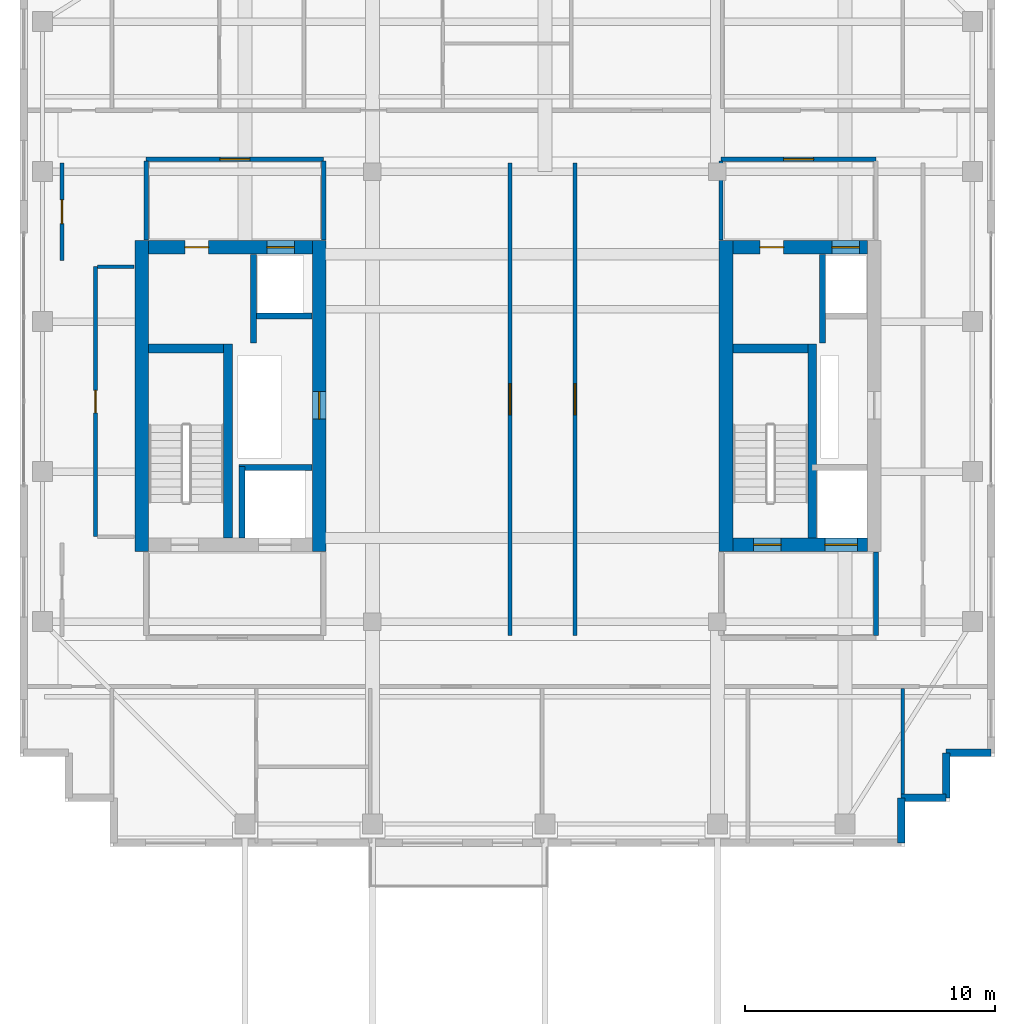
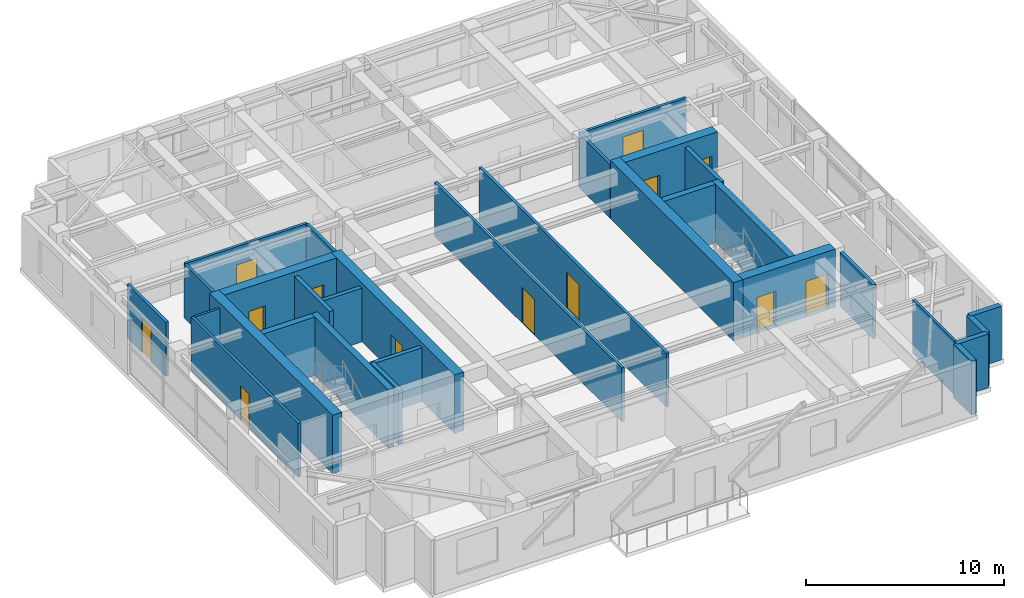
# One storey, part 9 of 14: 31 walls, 13 doors, 13 openings.
"""IFC4 building model written with IfcOpenShell, lengths in metres."""

import ifcopenshell
import ifcopenshell.guid

model = None  # the IFC model being written
_history = None  # IfcOwnerHistory: only IFC2X3 demands one
_inside = {}  # id of a spatial element -> (the spatial element, [elements in it])
_under = {}  # id of a project, library or spatial element -> (it, [spatial elements below it])
_declared = {}  # id of a project -> (the project, [libraries it declares])
_typed = {}  # id of a type object -> (the type object, [elements of that type])
_made_of = {}  # id of a material, layer set ... -> (it, [elements and type objects made of it])


def new_model(schema):
    """Start an empty IFC model of exactly this schema.

    Asked for "IFC4X3", IfcOpenShell would pick the latest addendum, in which some entities
    have other attributes; the version numbers below select the first issue.
    IFC2X3 requires an IfcOwnerHistory on every rooted entity: one is made here for all.
    """
    global model, _history
    if schema == "IFC4X3":
        model = ifcopenshell.file(schema_version=(4, 3, 0, 0))
    else:
        model = ifcopenshell.file(schema=schema)
    _inside.clear()
    _under.clear()
    _declared.clear()
    _typed.clear()
    _made_of.clear()
    _history = None
    if model.schema == "IFC2X3":
        org = make("IfcOrganization", Name="unknown")
        user = make(
            "IfcPersonAndOrganization",
            ThePerson=make("IfcPerson", FamilyName="unknown"),
            TheOrganization=org,
        )
        app = make(
            "IfcApplication",
            ApplicationDeveloper=org,
            Version="unknown",
            ApplicationFullName="unknown",
            ApplicationIdentifier="unknown",
        )
        _history = make(
            "IfcOwnerHistory",
            OwningUser=user,
            OwningApplication=app,
            ChangeAction="ADDED",
            CreationDate=0,
        )
    return model


def make(cls, **values):
    """One entity of the class cls with the attributes given. An attribute that is None is left unset."""
    return model.create_entity(
        cls, **{name: value for name, value in values.items() if value is not None}
    )


def rooted(cls, **values):
    """An entity with a GlobalId (a new one), such as an element, a storey or a relation."""
    return make(cls, GlobalId=ifcopenshell.guid.new(), OwnerHistory=_history, **values)


def si_unit(unit_type, name, prefix=None):
    """IfcSIUnit, for example si_unit("LENGTHUNIT", "METRE", prefix="MILLI")."""
    return make("IfcSIUnit", UnitType=unit_type, Prefix=prefix, Name=name)


def assignment(units):
    """IfcUnitAssignment: the units of a project."""
    return None if units is None else make("IfcUnitAssignment", Units=units)


def point(xyz):
    """IfcCartesianPoint."""
    return None if xyz is None else make("IfcCartesianPoint", Coordinates=xyz)


def direction(xyz):
    """IfcDirection."""
    return None if xyz is None else make("IfcDirection", DirectionRatios=xyz)


def frame(location, z_axis=None, x_axis=None):
    """IfcAxis2Placement3D, a coordinate frame: its origin and axes. An axis left out is left unset."""
    return make(
        "IfcAxis2Placement3D",
        Location=point(location),
        Axis=direction(z_axis),
        RefDirection=direction(x_axis),
    )


def frame_2d(location, x_axis=None):
    """IfcAxis2Placement2D, a coordinate frame in the plane: its origin and x axis."""
    return make(
        "IfcAxis2Placement2D", Location=point(location), RefDirection=direction(x_axis)
    )


def origin():
    """The frame at (0, 0, 0) with its axes left unset."""
    return frame((0.0, 0.0, 0.0))


def place(relative_to, where):
    """IfcLocalPlacement: puts the frame where relative to a parent placement (None: the world)."""
    return make(
        "IfcLocalPlacement", PlacementRelTo=relative_to, RelativePlacement=where
    )


def context(
    kind, dimensions, precision=None, world=None, true_north=None, identifier=None
):
    """IfcGeometricRepresentationContext, for example the 3D "Model" context."""
    return make(
        "IfcGeometricRepresentationContext",
        ContextIdentifier=identifier,
        ContextType=kind,
        CoordinateSpaceDimension=dimensions,
        Precision=precision,
        WorldCoordinateSystem=world,
        TrueNorth=true_north,
    )


def subcontext(parent, identifier, kind, view, scale=None):
    """IfcGeometricRepresentationSubContext, for example "Body" below "Model"."""
    return make(
        "IfcGeometricRepresentationSubContext",
        ContextIdentifier=identifier,
        ContextType=kind,
        ParentContext=parent,
        TargetScale=scale,
        TargetView=view,
    )


def project(units=None, contexts=None):
    """IfcProject with its units and contexts."""
    return rooted(
        "IfcProject",
        Name="project",
        RepresentationContexts=contexts,
        UnitsInContext=assignment(units),
    )


def spatial(cls, under=None, at=None, **own):
    """A site, building, storey or space (cls), placed at a placement, below another one or the project."""
    s = rooted(cls, ObjectPlacement=at, **own)
    if under is not None:
        _under.setdefault(under.id(), (under, []))[1].append(s)
    return s


def profile(cls, at=None, kind="AREA", **sizes):
    """A parametric profile (cls). Its sizes go by their IFC names, for example OverallWidth=200.0."""
    return make(cls, ProfileType=kind, Position=at, **sizes)


def rectangle(**sizes):
    """IfcRectangleProfileDef."""
    return profile("IfcRectangleProfileDef", **sizes)


def extrude(swept, where, along, depth):
    """IfcExtrudedAreaSolid: the profile swept, set in the frame where, extruded along a direction by depth."""
    return make(
        "IfcExtrudedAreaSolid",
        SweptArea=swept,
        Position=where,
        ExtrudedDirection=direction(along),
        Depth=depth,
    )


def shape(context_of_items, identifier, shape_type, items):
    """IfcShapeRepresentation: the items that make up one representation, for example the "Body"."""
    return make(
        "IfcShapeRepresentation",
        ContextOfItems=context_of_items,
        RepresentationIdentifier=identifier,
        RepresentationType=shape_type,
        Items=items,
    )


def source(mapping_origin, context_of_items, identifier, shape_type, items):
    """IfcRepresentationMap: a shape defined once, which mapped items show again and again."""
    return make(
        "IfcRepresentationMap",
        MappingOrigin=mapping_origin,
        MappedRepresentation=shape(context_of_items, identifier, shape_type, items),
    )


def transform(
    local_origin,
    x_axis=None,
    y_axis=None,
    z_axis=None,
    scale=None,
    scale2=None,
    scale3=None,
    uniform=True,
):
    """IfcCartesianTransformationOperator3D, or its non-uniform kind. x_axis, y_axis, z_axis: its Axis1, 2, 3."""
    if uniform:
        return make(
            "IfcCartesianTransformationOperator3D",
            Axis1=direction(x_axis),
            Axis2=direction(y_axis),
            LocalOrigin=point(local_origin),
            Scale=scale,
            Axis3=direction(z_axis),
        )
    return make(
        "IfcCartesianTransformationOperator3DnonUniform",
        Axis1=direction(x_axis),
        Axis2=direction(y_axis),
        LocalOrigin=point(local_origin),
        Scale=scale,
        Axis3=direction(z_axis),
        Scale2=scale2,
        Scale3=scale3,
    )


def mapped(mapping_source, mapping_target):
    """IfcMappedItem: shows the shape of a source again, moved by a transform."""
    return make(
        "IfcMappedItem", MappingSource=mapping_source, MappingTarget=mapping_target
    )


def material(Name=None, Category=None):
    """IfcMaterial."""
    return make("IfcMaterial", Name=Name, Category=Category)


def layer(
    of_material, thickness, ventilated=None, Name=None, Category=None, Priority=None
):
    """IfcMaterialLayer: one layer of a wall or slab, of a material (None: an air gap)."""
    return make(
        "IfcMaterialLayer",
        Material=of_material,
        LayerThickness=thickness,
        IsVentilated=ventilated,
        Name=Name,
        Category=Category,
        Priority=Priority,
    )


def layer_set(layers, Name=None):
    """IfcMaterialLayerSet."""
    return make("IfcMaterialLayerSet", MaterialLayers=layers, LayerSetName=Name)


def made_of(thing, what):
    """Note that an element or type object is made of a material, layer set ...; save() writes the relation."""
    if what is not None:
        _made_of.setdefault(what.id(), (what, []))[1].append(thing)
    return thing


def type_object(cls, material=None, **own):
    """A type object (cls), such as IfcWallType, which elements share."""
    return made_of(rooted(cls, **own), material)


def element(
    cls,
    number,
    at=None,
    inside=None,
    cuts=None,
    type_object=None,
    material=None,
    context=None,
    identifier="Body",
    shape_type=None,
    held_by="IfcProductDefinitionShape",
    body=None,
    shapes=None,
    **own,
):
    """One element of the class cls, such as IfcWall. Its Tag is "e" and its number.

    at: its placement. inside: the storey or other place that contains it. cuts: it is an
    opening in that element (IfcRelVoidsElement). A single representation is given by context,
    identifier, shape_type and body (its items); several are given by shapes. held_by: the class
    of the entity that holds the representations. save() writes the other relations.
    """
    e = rooted(cls, Tag="e%d" % number, ObjectPlacement=at, **own)
    if body is not None:
        shapes = [shape(context, identifier, shape_type, body)]
    if shapes is not None:
        e.Representation = make(held_by, Representations=shapes)
    if inside is not None:
        _inside.setdefault(inside.id(), (inside, []))[1].append(e)
    if cuts is not None:
        rooted(
            "IfcRelVoidsElement", RelatingBuildingElement=cuts, RelatedOpeningElement=e
        )
    if type_object is not None:
        _typed.setdefault(type_object.id(), (type_object, []))[1].append(e)
    return made_of(e, material)


def fill(opening, filler):
    """IfcRelFillsElement: the door or window that sits in an opening."""
    return rooted(
        "IfcRelFillsElement",
        RelatingOpeningElement=opening,
        RelatedBuildingElement=filler,
    )


def aggregate(whole, parts):
    """IfcRelAggregates: a whole, such as a stair, and the parts it consists of."""
    return rooted("IfcRelAggregates", RelatingObject=whole, RelatedObjects=parts)


def save(model, path):
    """Write the relations noted so far, then the file.

    IfcRelAggregates (storeys below a building ...), IfcRelContainedInSpatialStructure (elements
    in a storey), IfcRelDefinesByType, IfcRelAssociatesMaterial and IfcRelDeclares: one each for
    every whole, place, type object, material and project.
    """
    for whole, parts in _under.values():
        aggregate(whole, parts)
    for where, things in _inside.values():
        rooted(
            "IfcRelContainedInSpatialStructure",
            RelatedElements=things,
            RelatingStructure=where,
        )
    for kind, things in _typed.values():
        rooted("IfcRelDefinesByType", RelatedObjects=things, RelatingType=kind)
    for what, things in _made_of.values():
        rooted("IfcRelAssociatesMaterial", RelatedObjects=things, RelatingMaterial=what)
    for by, libraries in _declared.values():
        rooted("IfcRelDeclares", RelatingContext=by, RelatedDefinitions=libraries)
    model.write(path)


model = new_model("IFC4")

# Units and contexts
model_context = context("Model", 3, precision=1e-05, world=origin(), true_north=direction((0.0, 1.0)))
body_context = subcontext(model_context, "Body", "Model", "MODEL_VIEW")
ifc_project = project(units=[si_unit("LENGTHUNIT", "METRE"), si_unit("AREAUNIT", "SQUARE_METRE"), si_unit("VOLUMEUNIT", "CUBIC_METRE"), si_unit("PLANEANGLEUNIT", "RADIAN"), si_unit("MASSUNIT", "GRAM", prefix="KILO")], contexts=[model_context])

# Site, building, storey
site_placement = place(None, origin())
site = spatial("IfcSite", under=ifc_project, at=site_placement, CompositionType="ELEMENT")
building_placement = place(site_placement, origin())
building = spatial("IfcBuilding", under=site, at=building_placement, Name="Khoralis Quay Care Tower", CompositionType="ELEMENT")
storey_placement = place(building_placement, frame((0.0, 0.0, 274.5)))
storey = spatial("IfcBuildingStorey", under=building, at=storey_placement, Name="L72", CompositionType="ELEMENT", Elevation=274.5)

# Walls
ifc_material_1 = material(Name="Gypsum plasterboard on acoustic metal stud")
ifc_layer_1 = layer(ifc_material_1, 0.199951171875)
ifc_layer_set_1 = layer_set([ifc_layer_1], Name="Gypsum plasterboard on acoustic metal stud")
wall_type_1 = type_object("IfcWallType", Name="WL-COMP-200", PredefinedType="PARTITIONING", material=ifc_layer_set_1)
wall_1_placement = place(storey_placement, frame((37.25, 11.445068359375, 0.0), z_axis=(0.0, 0.0, 1.0), x_axis=(0.0, 1.0, 0.0)))
element("IfcWall", 1, at=wall_1_placement, inside=storey, type_object=wall_type_1, Name="L72 East Firefighting Lobby East Wall", PredefinedType="PARTITIONING", context=body_context, shape_type="SweptSolid", body=[
    extrude(rectangle(XDim=3.3349609375, YDim=0.199951171875, at=frame_2d((1.66748046875, 0.0))), origin(), (0.0, 0.0, 1.0), 3.320068359375),
])
ifc_material_2 = material(Name="Concrete C65/80", Category="concrete")
ifc_layer_2 = layer(ifc_material_2, 0.550048828125)
ifc_layer_set_2 = layer_set([ifc_layer_2], Name="Concrete C65/80")
wall_type_2 = type_object("IfcWallType", Name="WL-CORE-550", PredefinedType="SHEAR", material=ifc_layer_set_2)
wall_2_placement = place(storey_placement, frame((7.875, 14.800048828125, 0.0), z_axis=(0.0, 0.0, 1.0), x_axis=(0.0, 1.0, 0.0)))
element("IfcWall", 2, at=wall_2_placement, inside=storey, type_object=wall_type_2, Name="L72 WCORE West Shear Wall", PredefinedType="SHEAR", context=body_context, shape_type="SweptSolid", body=[
    extrude(rectangle(XDim=12.449951171875, YDim=0.550048828125, at=frame_2d((6.22509765625, 0.0))), origin(), (0.0, 0.0, 1.0), 3.60009765625),
])

# Wall, opening, door
wall_3_placement = place(storey_placement, frame((14.97509765625, 14.800048828125, 0.0), z_axis=(0.0, 0.0, 1.0), x_axis=(0.0, 1.0, 0.0)))
wall_3 = element("IfcWall", 3, at=wall_3_placement, inside=storey, type_object=wall_type_2, Name="L72 WCORE East Shear Wall", PredefinedType="SHEAR", context=body_context, shape_type="SweptSolid", body=[
    extrude(rectangle(XDim=12.449951171875, YDim=0.550048828125, at=frame_2d((6.22509765625, 0.0))), origin(), (0.0, 0.0, 1.0), 3.60009765625),
])
opening_1_placement = place(wall_3_placement, frame((5.300048828125, 0.0, 0.0)))
opening_1 = element("IfcOpeningElement", 4, at=opening_1_placement, cuts=wall_3, Name="Opening SD1", PredefinedType="OPENING", context=body_context, shape_type="SweptSolid", body=[
    extrude(rectangle(XDim=1.10009765625, YDim=2.199951171875, at=frame_2d((0.550048828125, 1.10009765625))), frame((0.0, 0.28515625, 0.0), z_axis=(0.0, -1.0, 0.0), x_axis=(1.0, 0.0, 0.0)), (0.0, 0.0, 1.0), 0.570068359375),
])
ifc_material_3 = material(Name="Fire-rated painted steel", Category="steel")
door_type_1 = type_object("IfcDoorType", Name="DR-STAIR-1100X2200", OperationType="NOTDEFINED", PredefinedType="DOOR", material=ifc_material_3)
shared_shape_1 = source(origin(), body_context, "Body", "SweptSolid", [
    extrude(rectangle(XDim=1.10009765625, YDim=2.199951171875, at=frame_2d((0.550048828125, 1.10009765625))), frame((0.0, 0.02490234375, 0.0), z_axis=(0.0, -1.0, 0.0), x_axis=(1.0, 0.0, 0.0)), (0.0, 0.0, 1.0), 0.050048828125),
])
door_1_placement = place(opening_1_placement, origin())
door_1 = element("IfcDoor", 5, at=door_1_placement, inside=storey, type_object=door_type_1, Name="L72 West MEP Riser Door", OperationType="SINGLE_SWING_RIGHT", OverallHeight=2.199951171875, OverallWidth=1.10009765625, PredefinedType="DOOR", context=body_context, shape_type="MappedRepresentation", body=[
    mapped(shared_shape_1, transform((0.0, 0.0, 0.0), scale=1.0)),
])
fill(opening_1, door_1)

# Wall, openings, doors
wall_4_placement = place(storey_placement, frame((8.14990234375, 26.97509765625, 0.0), z_axis=(0.0, 0.0, 1.0), x_axis=(1.0, 0.0, 0.0)))
wall_4 = element("IfcWall", 6, at=wall_4_placement, inside=storey, type_object=wall_type_2, Name="L72 WCORE North Shear Wall", PredefinedType="SHEAR", context=body_context, shape_type="SweptSolid", body=[
    extrude(rectangle(XDim=6.550048828125, YDim=0.550048828125, at=frame_2d((3.27490234375, 0.0))), origin(), (0.0, 0.0, 1.0), 3.60009765625),
])
opening_2_placement = place(wall_4_placement, frame((1.449951171875, 0.0, 0.0)))
opening_2 = element("IfcOpeningElement", 7, at=opening_2_placement, cuts=wall_4, Name="Opening ID1", PredefinedType="OPENING", context=body_context, shape_type="SweptSolid", body=[
    extrude(rectangle(XDim=0.949951171875, YDim=2.10009765625, at=frame_2d((0.47509765625, 1.050048828125))), frame((0.0, 0.28515625, 0.0), z_axis=(0.0, -1.0, 0.0), x_axis=(1.0, 0.0, 0.0)), (0.0, 0.0, 1.0), 0.570068359375),
])
opening_3_placement = place(wall_4_placement, frame((4.72998046875, 0.0, 0.0)))
opening_3 = element("IfcOpeningElement", 8, at=opening_3_placement, cuts=wall_4, Name="Opening LD1", PredefinedType="OPENING", context=body_context, shape_type="SweptSolid", body=[
    extrude(rectangle(XDim=1.10009765625, YDim=2.199951171875, at=frame_2d((0.550048828125, 1.10009765625))), frame((0.0, 0.28515625, 0.0), z_axis=(0.0, -1.0, 0.0), x_axis=(1.0, 0.0, 0.0)), (0.0, 0.0, 1.0), 0.570068359375),
])
ifc_material_4 = material(Name="Brushed stainless steel", Category="steel")
door_type_2 = type_object("IfcDoorType", Name="DR-LIFT-1100X2200", OperationType="SLIDING_TO_LEFT", PredefinedType="DOOR", material=ifc_material_4)
shared_shape_2 = source(origin(), body_context, "Body", "SweptSolid", [
    extrude(rectangle(XDim=1.10009765625, YDim=2.199951171875, at=frame_2d((0.550048828125, 1.10009765625))), frame((0.0, 0.02490234375, 0.0), z_axis=(0.0, -1.0, 0.0), x_axis=(1.0, 0.0, 0.0)), (0.0, 0.0, 1.0), 0.050048828125),
])
door_2_placement = place(opening_3_placement, origin())
door_2 = element("IfcDoor", 9, at=door_2_placement, inside=storey, type_object=door_type_2, Name="L72 Lift PLH1 Landing Door", OperationType="SLIDING_TO_LEFT", OverallHeight=2.199951171875, OverallWidth=1.10009765625, PredefinedType="DOOR", context=body_context, shape_type="MappedRepresentation", body=[
    mapped(shared_shape_2, transform((0.0, 0.0, 0.0), scale=1.0)),
])
fill(opening_3, door_2)
ifc_material_5 = material(Name="Acoustic hardwood timber", Category="wood")
door_type_3 = type_object("IfcDoorType", Name="DR-ROOM-950X2100", OperationType="NOTDEFINED", PredefinedType="DOOR", material=ifc_material_5)
shared_shape_3 = source(origin(), body_context, "Body", "SweptSolid", [
    extrude(rectangle(XDim=0.949951171875, YDim=2.10009765625, at=frame_2d((0.47509765625, 1.050048828125))), frame((0.0, 0.02490234375, 0.0), z_axis=(0.0, -1.0, 0.0), x_axis=(1.0, 0.0, 0.0)), (0.0, 0.0, 1.0), 0.050048828125),
])
door_3_placement = place(opening_2_placement, frame((0.949951171875, 0.0, 0.0), z_axis=(0.0, 0.0, 1.0), x_axis=(-1.0, 0.0, 0.0)))
door_3 = element("IfcDoor", 10, at=door_3_placement, inside=storey, type_object=door_type_3, Name="L72 Telemetry Room Door", OperationType="SINGLE_SWING_RIGHT", OverallHeight=2.10009765625, OverallWidth=0.949951171875, PredefinedType="DOOR", context=body_context, shape_type="MappedRepresentation", body=[
    mapped(shared_shape_3, transform((0.0, 0.0, 0.0), scale=1.0)),
])
fill(opening_2, door_3)

# Wall
wall_5_placement = place(storey_placement, frame((31.2451171875, 14.800048828125, 0.0), z_axis=(0.0, 0.0, 1.0), x_axis=(0.0, 1.0, 0.0)))
element("IfcWall", 11, at=wall_5_placement, inside=storey, type_object=wall_type_2, Name="L72 ECORE West Shear Wall", PredefinedType="SHEAR", context=body_context, shape_type="SweptSolid", body=[
    extrude(rectangle(XDim=12.449951171875, YDim=0.550048828125, at=frame_2d((6.22509765625, 0.0))), origin(), (0.0, 0.0, 1.0), 3.60009765625),
])

# Wall, openings, doors
wall_6_placement = place(storey_placement, frame((31.52001953125, 15.074951171875, 0.0), z_axis=(0.0, 0.0, 1.0), x_axis=(1.0, 0.0, 0.0)))
wall_6 = element("IfcWall", 12, at=wall_6_placement, inside=storey, type_object=wall_type_2, Name="L72 ECORE South Shear Wall", PredefinedType="SHEAR", context=body_context, shape_type="SweptSolid", body=[
    extrude(rectangle(XDim=5.3798828125, YDim=0.550048828125, at=frame_2d((2.68994140625, 0.0))), origin(), (0.0, 0.0, 1.0), 3.60009765625),
])
opening_4_placement = place(wall_6_placement, frame((0.830078125, 0.0, 0.0)))
opening_4 = element("IfcOpeningElement", 13, at=opening_4_placement, cuts=wall_6, Name="Opening SD1", PredefinedType="OPENING", context=body_context, shape_type="SweptSolid", body=[
    extrude(rectangle(XDim=1.10009765625, YDim=2.199951171875, at=frame_2d((0.550048828125, 1.10009765625))), frame((0.0, 0.28515625, 0.0), z_axis=(0.0, -1.0, 0.0), x_axis=(1.0, 0.0, 0.0)), (0.0, 0.0, 1.0), 0.570068359375),
])
opening_5_placement = place(wall_6_placement, frame((3.679931640625, 0.0, 0.0)))
opening_5 = element("IfcOpeningElement", 14, at=opening_5_placement, cuts=wall_6, Name="Opening LD2", PredefinedType="OPENING", context=body_context, shape_type="SweptSolid", body=[
    extrude(rectangle(XDim=1.300048828125, YDim=2.199951171875, at=frame_2d((0.64990234375, 1.10009765625))), frame((0.0, 0.28515625, 0.0), z_axis=(0.0, -1.0, 0.0), x_axis=(1.0, 0.0, 0.0)), (0.0, 0.0, 1.0), 0.570068359375),
])
door_4_placement = place(opening_4_placement, origin())
door_4 = element("IfcDoor", 15, at=door_4_placement, inside=storey, type_object=door_type_1, Name="L72 Stair ST-T2 Fire Door", OperationType="SINGLE_SWING_LEFT", OverallHeight=2.199951171875, OverallWidth=1.10009765625, PredefinedType="DOOR", context=body_context, shape_type="MappedRepresentation", body=[
    mapped(shared_shape_1, transform((0.0, 0.0, 0.0), scale=1.0)),
])
fill(opening_4, door_4)
door_type_4 = type_object("IfcDoorType", Name="DR-LIFT-1300X2200", OperationType="SLIDING_TO_RIGHT", PredefinedType="DOOR", material=ifc_material_4)
shared_shape_4 = source(origin(), body_context, "Body", "SweptSolid", [
    extrude(rectangle(XDim=1.300048828125, YDim=2.199951171875, at=frame_2d((0.64990234375, 1.10009765625))), frame((0.0, 0.02490234375, 0.0), z_axis=(0.0, -1.0, 0.0), x_axis=(1.0, 0.0, 0.0)), (0.0, 0.0, 1.0), 0.050048828125),
])
door_5_placement = place(opening_5_placement, origin())
door_5 = element("IfcDoor", 16, at=door_5_placement, inside=storey, type_object=door_type_4, Name="L72 Firefighting Lift FFL-2 Landing Door", OperationType="SLIDING_TO_RIGHT", OverallHeight=2.199951171875, OverallWidth=1.300048828125, PredefinedType="DOOR", context=body_context, shape_type="MappedRepresentation", body=[
    mapped(shared_shape_4, transform((0.0, 0.0, 0.0), scale=1.0)),
])
fill(opening_5, door_5)

wall_7_placement = place(storey_placement, frame((31.52001953125, 26.97509765625, 0.0), z_axis=(0.0, 0.0, 1.0), x_axis=(1.0, 0.0, 0.0)))
wall_7 = element("IfcWall", 17, at=wall_7_placement, inside=storey, type_object=wall_type_2, Name="L72 ECORE North Shear Wall", PredefinedType="SHEAR", context=body_context, shape_type="SweptSolid", body=[
    extrude(rectangle(XDim=5.3798828125, YDim=0.550048828125, at=frame_2d((2.68994140625, 0.0))), origin(), (0.0, 0.0, 1.0), 3.60009765625),
])
opening_6_placement = place(wall_7_placement, frame((1.080078125, 0.0, 0.0)))
opening_6 = element("IfcOpeningElement", 18, at=opening_6_placement, cuts=wall_7, Name="Opening ID1", PredefinedType="OPENING", context=body_context, shape_type="SweptSolid", body=[
    extrude(rectangle(XDim=0.949951171875, YDim=2.10009765625, at=frame_2d((0.47509765625, 1.050048828125))), frame((0.0, 0.28515625, 0.0), z_axis=(0.0, -1.0, 0.0), x_axis=(1.0, 0.0, 0.0)), (0.0, 0.0, 1.0), 0.570068359375),
])
opening_7_placement = place(wall_7_placement, frame((3.9599609375, 0.0, 0.0)))
opening_7 = element("IfcOpeningElement", 19, at=opening_7_placement, cuts=wall_7, Name="Opening LD1", PredefinedType="OPENING", context=body_context, shape_type="SweptSolid", body=[
    extrude(rectangle(XDim=1.10009765625, YDim=2.199951171875, at=frame_2d((0.550048828125, 1.10009765625))), frame((0.0, 0.28515625, 0.0), z_axis=(0.0, -1.0, 0.0), x_axis=(1.0, 0.0, 0.0)), (0.0, 0.0, 1.0), 0.570068359375),
])
door_6_placement = place(opening_7_placement, origin())
door_6 = element("IfcDoor", 20, at=door_6_placement, inside=storey, type_object=door_type_2, Name="L72 Lift PLH2 Landing Door", OperationType="SLIDING_TO_LEFT", OverallHeight=2.199951171875, OverallWidth=1.10009765625, PredefinedType="DOOR", context=body_context, shape_type="MappedRepresentation", body=[
    mapped(shared_shape_2, transform((0.0, 0.0, 0.0), scale=1.0)),
])
fill(opening_7, door_6)
door_7_placement = place(opening_6_placement, frame((0.949951171875, 0.0, 0.0), z_axis=(0.0, 0.0, 1.0), x_axis=(-1.0, 0.0, 0.0)))
door_7 = element("IfcDoor", 21, at=door_7_placement, inside=storey, type_object=door_type_3, Name="L72 Rehab Studio Door", OperationType="SINGLE_SWING_LEFT", OverallHeight=2.10009765625, OverallWidth=0.949951171875, PredefinedType="DOOR", context=body_context, shape_type="MappedRepresentation", body=[
    mapped(shared_shape_3, transform((0.0, 0.0, 0.0), scale=1.0)),
])
fill(opening_6, door_7)

# Wall, opening, door
ifc_layer_3 = layer(ifc_material_1, 0.1650390625)
ifc_layer_set_3 = layer_set([ifc_layer_3], Name="Gypsum plasterboard on acoustic metal stud")
wall_type_3 = type_object("IfcWallType", Name="WL-CORR-165", PredefinedType="PARTITIONING", material=ifc_layer_set_3)
wall_8_placement = place(storey_placement, frame((8.050048828125, 30.5, 0.0), z_axis=(0.0, 0.0, 1.0), x_axis=(1.0, 0.0, 0.0)))
wall_8 = element("IfcWall", 22, at=wall_8_placement, inside=storey, type_object=wall_type_3, Name="L72 West Lift Lobby North Wall", PredefinedType="PARTITIONING", context=body_context, shape_type="SweptSolid", body=[
    extrude(rectangle(XDim=7.099853515625, YDim=0.1650390625, at=frame_2d((3.5498046875, 0.0))), origin(), (0.0, 0.0, 1.0), 3.320068359375),
])
opening_8_placement = place(wall_8_placement, frame((2.949951171875, 0.0, 0.0)))
opening_8 = element("IfcOpeningElement", 23, at=opening_8_placement, cuts=wall_8, Name="Opening FD1", PredefinedType="OPENING", context=body_context, shape_type="SweptSolid", body=[
    extrude(rectangle(XDim=1.199951171875, YDim=2.199951171875, at=frame_2d((0.60009765625, 1.10009765625))), frame((0.0, 0.092529296875, 0.0), z_axis=(0.0, -1.0, 0.0), x_axis=(1.0, 0.0, 0.0)), (0.0, 0.0, 1.0), 0.18505859375),
])
door_type_5 = type_object("IfcDoorType", Name="DR-FFL-1200X2200", OperationType="NOTDEFINED", PredefinedType="DOOR", material=ifc_material_3)
shared_shape_5 = source(origin(), body_context, "Body", "SweptSolid", [
    extrude(rectangle(XDim=1.199951171875, YDim=2.199951171875, at=frame_2d((0.60009765625, 1.10009765625))), frame((0.0, 0.02490234375, 0.0), z_axis=(0.0, -1.0, 0.0), x_axis=(1.0, 0.0, 0.0)), (0.0, 0.0, 1.0), 0.050048828125),
])
door_8_placement = place(opening_8_placement, origin())
door_8 = element("IfcDoor", 24, at=door_8_placement, inside=storey, type_object=door_type_5, Name="L72 West Lift Lobby Double Door", OperationType="DOUBLE_DOOR_SINGLE_SWING", OverallHeight=2.199951171875, OverallWidth=1.199951171875, PredefinedType="DOOR", context=body_context, shape_type="MappedRepresentation", body=[
    mapped(shared_shape_5, transform((0.0, 0.0, 0.0), scale=1.0)),
])
fill(opening_8, door_8)

# Walls
for number, where, z_axis, x_axis, name in (
    (25, (8.050048828125, 27.27001953125, 0.0), (0.0, 0.0, 1.0), (0.0, 1.0, 0.0), "L72 West Lift Lobby West Wall"),
    (26, (15.14990234375, 27.27001953125, 0.0), (0.0, 0.0, 1.0), (0.0, 1.0, 0.0), "L72 West Lift Lobby East Wall"),
):
    element("IfcWall", number, at=place(storey_placement, frame(where, z_axis=z_axis, x_axis=x_axis)), inside=storey, type_object=wall_type_3, Name=name, PredefinedType="PARTITIONING", context=body_context, shape_type="SweptSolid", body=[
        extrude(rectangle(XDim=3.152587890625, YDim=0.1650390625, at=frame_2d((1.576171875, 0.0))), origin(), (0.0, 0.0, 1.0), 3.320068359375),
    ])

# Wall, opening, door
wall_9_placement = place(storey_placement, frame((31.050048828125, 30.5, 0.0), z_axis=(0.0, 0.0, 1.0), x_axis=(1.0, 0.0, 0.0)))
wall_9 = element("IfcWall", 27, at=wall_9_placement, inside=storey, type_object=wall_type_3, Name="L72 East Lift Lobby North Wall", PredefinedType="PARTITIONING", context=body_context, shape_type="SweptSolid", body=[
    extrude(rectangle(XDim=6.199951171875, YDim=0.1650390625, at=frame_2d((3.10009765625, 0.0))), origin(), (0.0, 0.0, 1.0), 3.320068359375),
])
opening_9_placement = place(wall_9_placement, frame((2.5, 0.0, 0.0)))
opening_9 = element("IfcOpeningElement", 28, at=opening_9_placement, cuts=wall_9, Name="Opening FD1", PredefinedType="OPENING", context=body_context, shape_type="SweptSolid", body=[
    extrude(rectangle(XDim=1.199951171875, YDim=2.199951171875, at=frame_2d((0.60009765625, 1.10009765625))), frame((0.0, 0.092529296875, 0.0), z_axis=(0.0, -1.0, 0.0), x_axis=(1.0, 0.0, 0.0)), (0.0, 0.0, 1.0), 0.18505859375),
])
door_9_placement = place(opening_9_placement, origin())
door_9 = element("IfcDoor", 29, at=door_9_placement, inside=storey, type_object=door_type_5, Name="L72 East Lift Lobby Double Door", OperationType="DOUBLE_DOOR_SINGLE_SWING", OverallHeight=2.199951171875, OverallWidth=1.199951171875, PredefinedType="DOOR", context=body_context, shape_type="MappedRepresentation", body=[
    mapped(shared_shape_5, transform((0.0, 0.0, 0.0), scale=1.0)),
])
fill(opening_9, door_9)

# Wall
wall_10_placement = place(storey_placement, frame((31.050048828125, 27.27001953125, 0.0), z_axis=(0.0, 0.0, 1.0), x_axis=(0.0, 1.0, 0.0)))
element("IfcWall", 30, at=wall_10_placement, inside=storey, type_object=wall_type_3, Name="L72 East Lift Lobby West Wall", PredefinedType="PARTITIONING", context=body_context, shape_type="SweptSolid", body=[
    extrude(rectangle(XDim=3.152587890625, YDim=0.1650390625, at=frame_2d((1.576171875, 0.0))), origin(), (0.0, 0.0, 1.0), 3.320068359375),
])

# Wall, opening, door
wall_11_placement = place(storey_placement, frame((6.02001953125, 15.39990234375, 0.0), z_axis=(0.0, 0.0, 1.0), x_axis=(0.0, 1.0, 0.0)))
wall_11 = element("IfcWall", 31, at=wall_11_placement, inside=storey, type_object=wall_type_3, Name="L72 West Core Service Flank Wall", PredefinedType="PARTITIONING", context=body_context, shape_type="SweptSolid", body=[
    extrude(rectangle(XDim=10.800048828125, YDim=0.1650390625, at=frame_2d((5.39990234375, 0.0))), origin(), (0.0, 0.0, 1.0), 3.320068359375),
])
opening_10_placement = place(wall_11_placement, frame((4.949951171875, 0.0, 0.0)))
opening_10 = element("IfcOpeningElement", 32, at=opening_10_placement, cuts=wall_11, Name="Opening WD1", PredefinedType="OPENING", context=body_context, shape_type="SweptSolid", body=[
    extrude(rectangle(XDim=0.89990234375, YDim=2.10009765625, at=frame_2d((0.449951171875, 1.050048828125))), frame((0.0, 0.092529296875, 0.0), z_axis=(0.0, -1.0, 0.0), x_axis=(1.0, 0.0, 0.0)), (0.0, 0.0, 1.0), 0.18505859375),
])
door_type_6 = type_object("IfcDoorType", Name="DR-BATH-900X2100", OperationType="NOTDEFINED", PredefinedType="DOOR", material=ifc_material_5)
shared_shape_6 = source(origin(), body_context, "Body", "SweptSolid", [
    extrude(rectangle(XDim=0.89990234375, YDim=2.10009765625, at=frame_2d((0.449951171875, 1.050048828125))), frame((0.0, 0.02490234375, 0.0), z_axis=(0.0, -1.0, 0.0), x_axis=(1.0, 0.0, 0.0)), (0.0, 0.0, 1.0), 0.050048828125),
])
door_10_placement = place(opening_10_placement, frame((0.89990234375, 0.0, 0.0), z_axis=(0.0, 0.0, 1.0), x_axis=(-1.0, 0.0, 0.0)))
door_10 = element("IfcDoor", 33, at=door_10_placement, inside=storey, type_object=door_type_6, Name="L72 Housekeeping & Public Accessible WC Door", OperationType="SINGLE_SWING_LEFT", OverallHeight=2.10009765625, OverallWidth=0.89990234375, PredefinedType="DOOR", context=body_context, shape_type="MappedRepresentation", body=[
    mapped(shared_shape_6, transform((0.0, 0.0, 0.0), scale=1.0)),
])
fill(opening_10, door_10)

wall_12_placement = place(storey_placement, frame((22.60009765625, 11.449951171875, 0.0), z_axis=(0.0, 0.0, 1.0), x_axis=(0.0, 1.0, 0.0)))
wall_12 = element("IfcWall", 34, at=wall_12_placement, inside=storey, type_object=wall_type_3, Name="L72 Central Gallery West Wall", PredefinedType="PARTITIONING", context=body_context, shape_type="SweptSolid", body=[
    extrude(rectangle(XDim=18.900146484375, YDim=0.1650390625, at=frame_2d((9.4501953125, 0.0))), origin(), (0.0, 0.0, 1.0), 3.320068359375),
])
opening_11_placement = place(wall_12_placement, frame((8.824951171875, 0.0, 0.0)))
opening_11 = element("IfcOpeningElement", 35, at=opening_11_placement, cuts=wall_12, Name="Opening CD1", PredefinedType="OPENING", context=body_context, shape_type="SweptSolid", body=[
    extrude(rectangle(XDim=1.25, YDim=2.199951171875, at=frame_2d((0.625, 1.10009765625))), frame((0.0, 0.092529296875, 0.0), z_axis=(0.0, -1.0, 0.0), x_axis=(1.0, 0.0, 0.0)), (0.0, 0.0, 1.0), 0.18505859375),
])
door_type_7 = type_object("IfcDoorType", Name="DR-CARE-1250X2200", OperationType="NOTDEFINED", PredefinedType="DOOR", material=ifc_material_5)
shared_shape_7 = source(origin(), body_context, "Body", "SweptSolid", [
    extrude(rectangle(XDim=1.25, YDim=2.199951171875, at=frame_2d((0.625, 1.10009765625))), frame((0.0, 0.02490234375, 0.0), z_axis=(0.0, -1.0, 0.0), x_axis=(1.0, 0.0, 0.0)), (0.0, 0.0, 1.0), 0.050048828125),
])
door_11_placement = place(opening_11_placement, frame((1.25, 0.0, 0.0), z_axis=(0.0, 0.0, 1.0), x_axis=(-1.0, 0.0, 0.0)))
door_11 = element("IfcDoor", 36, at=door_11_placement, inside=storey, type_object=door_type_7, Name="L72 Penthouse Clinic Door", OperationType="SINGLE_SWING_LEFT", OverallHeight=2.199951171875, OverallWidth=1.25, PredefinedType="DOOR", context=body_context, shape_type="MappedRepresentation", body=[
    mapped(shared_shape_7, transform((0.0, 0.0, 0.0), scale=1.0)),
])
fill(opening_11, door_11)

wall_13_placement = place(storey_placement, frame((25.199951171875, 11.449951171875, 0.0), z_axis=(0.0, 0.0, 1.0), x_axis=(0.0, 1.0, 0.0)))
wall_13 = element("IfcWall", 37, at=wall_13_placement, inside=storey, type_object=wall_type_3, Name="L72 Central Gallery East Wall", PredefinedType="PARTITIONING", context=body_context, shape_type="SweptSolid", body=[
    extrude(rectangle(XDim=18.900146484375, YDim=0.1650390625, at=frame_2d((9.4501953125, 0.0))), origin(), (0.0, 0.0, 1.0), 3.320068359375),
])
opening_12_placement = place(wall_13_placement, frame((8.824951171875, 0.0, 0.0)))
opening_12 = element("IfcOpeningElement", 38, at=opening_12_placement, cuts=wall_13, Name="Opening CD1", PredefinedType="OPENING", context=body_context, shape_type="SweptSolid", body=[
    extrude(rectangle(XDim=1.25, YDim=2.199951171875, at=frame_2d((0.625, 1.10009765625))), frame((0.0, 0.092529296875, 0.0), z_axis=(0.0, -1.0, 0.0), x_axis=(1.0, 0.0, 0.0)), (0.0, 0.0, 1.0), 0.18505859375),
])
door_12_placement = place(opening_12_placement, origin())
door_12 = element("IfcDoor", 39, at=door_12_placement, inside=storey, type_object=door_type_7, Name="L72 Penthouse Lounge Door", OperationType="SINGLE_SWING_RIGHT", OverallHeight=2.199951171875, OverallWidth=1.25, PredefinedType="DOOR", context=body_context, shape_type="MappedRepresentation", body=[
    mapped(shared_shape_7, transform((0.0, 0.0, 0.0), scale=1.0)),
])
fill(opening_12, door_12)

wall_14_placement = place(storey_placement, frame((4.679931640625, 26.449951171875, 0.0), z_axis=(0.0, 0.0, 1.0), x_axis=(0.0, 1.0, 0.0)))
wall_14 = element("IfcWall", 40, at=wall_14_placement, inside=storey, type_object=wall_type_3, Name="L72 West Sky Sunroom North Wall", PredefinedType="PARTITIONING", context=body_context, shape_type="SweptSolid", body=[
    extrude(rectangle(XDim=3.900146484375, YDim=0.1650390625, at=frame_2d((1.9501953125, 0.0))), origin(), (0.0, 0.0, 1.0), 3.320068359375),
])
opening_13_placement = place(wall_14_placement, frame((1.47509765625, 0.0, 0.0)))
opening_13 = element("IfcOpeningElement", 41, at=opening_13_placement, cuts=wall_14, Name="Opening ID1", PredefinedType="OPENING", context=body_context, shape_type="SweptSolid", body=[
    extrude(rectangle(XDim=0.949951171875, YDim=2.10009765625, at=frame_2d((0.47509765625, 1.050048828125))), frame((0.0, 0.092529296875, 0.0), z_axis=(0.0, -1.0, 0.0), x_axis=(1.0, 0.0, 0.0)), (0.0, 0.0, 1.0), 0.18505859375),
])
door_13_placement = place(opening_13_placement, frame((0.949951171875, 0.0, 0.0), z_axis=(0.0, 0.0, 1.0), x_axis=(-1.0, 0.0, 0.0)))
door_13 = element("IfcDoor", 42, at=door_13_placement, inside=storey, type_object=door_type_3, Name="L72 West Study Door", OperationType="SINGLE_SWING_RIGHT", OverallHeight=2.10009765625, OverallWidth=0.949951171875, PredefinedType="DOOR", context=body_context, shape_type="MappedRepresentation", body=[
    mapped(shared_shape_3, transform((0.0, 0.0, 0.0), scale=1.0)),
])
fill(opening_13, door_13)

# Walls
ifc_material_6 = material(Name="Precast concrete C45/55", Category="concrete")
ifc_layer_4 = layer(ifc_material_6, 0.300048828125)
ifc_layer_set_4 = layer_set([ifc_layer_4], Name="Precast concrete C45/55")
wall_type_4 = type_object("IfcWallType", Name="WL-EXT-REF-300", PredefinedType="SOLIDWALL", material=ifc_layer_set_4)
for number, where, z_axis, x_axis, name in (
    (43, (38.25, 3.14990234375, 0.0), (0.0, 0.0, 1.0), (0.0, 1.0, 0.0), "L72 External Facade Wall WL-EXT-L72-P1-C1"),
    (44, (38.25, 4.949951171875, 0.0), (0.0, 0.0, 1.0), (1.0, 0.0, 0.0), "L72 External Facade Wall WL-EXT-L72-P1-C2"),
    (45, (40.050048828125, 4.949951171875, 0.0), (0.0, 0.0, 1.0), (0.0, 1.0, 0.0), "L72 External Facade Wall WL-EXT-L72-P1-C3"),
    (46, (40.050048828125, 6.75, 0.0), (0.0, 0.0, 1.0), (1.0, 0.0, 0.0), "L72 External Facade Wall WL-EXT-L72-P1-C4"),
):
    element("IfcWall", number, at=place(storey_placement, frame(where, z_axis=z_axis, x_axis=x_axis)), inside=storey, type_object=wall_type_4, Name=name, PredefinedType="SOLIDWALL", context=body_context, shape_type="SweptSolid", body=[
        extrude(rectangle(XDim=1.800048828125, YDim=0.300048828125, at=frame_2d((0.89990234375, 0.0))), origin(), (0.0, 0.0, 1.0), 3.320068359375),
    ])
ifc_material_7 = material(Name="Concrete C40/50", Category="concrete")
ifc_layer_5 = layer(ifc_material_7, 0.35009765625)
ifc_layer_set_5 = layer_set([ifc_layer_5], Name="Concrete C40/50")
wall_type_5 = type_object("IfcWallType", Name="WL-SC-CORE-350", PredefinedType="SHEAR", material=ifc_layer_set_5)
wall_15_placement = place(storey_placement, frame((11.324951171875, 15.35009765625, 0.0), z_axis=(0.0, 0.0, 1.0), x_axis=(0.0, 1.0, 0.0)))
element("IfcWall", 47, at=wall_15_placement, inside=storey, type_object=wall_type_5, Name="L72 Stair ST-T1 Shear Baffle Wall East", PredefinedType="SHEAR", context=body_context, shape_type="SweptSolid", body=[
    extrude(rectangle(XDim=7.75, YDim=0.35009765625, at=frame_2d((3.875, 0.0))), origin(), (0.0, 0.0, 1.0), 3.60009765625),
])
wall_16_placement = place(storey_placement, frame((8.14990234375, 22.925048828125, 0.0), z_axis=(0.0, 0.0, 1.0), x_axis=(1.0, 0.0, 0.0)))
element("IfcWall", 48, at=wall_16_placement, inside=storey, type_object=wall_type_5, Name="L72 Stair ST-T1 Shear Baffle Wall North", PredefinedType="SHEAR", context=body_context, shape_type="SweptSolid", body=[
    extrude(rectangle(XDim=3.0, YDim=0.35009765625, at=frame_2d((1.5, 0.0))), origin(), (0.0, 0.0, 1.0), 3.60009765625),
])
wall_17_placement = place(storey_placement, frame((34.695068359375, 15.35009765625, 0.0), z_axis=(0.0, 0.0, 1.0), x_axis=(0.0, 1.0, 0.0)))
element("IfcWall", 49, at=wall_17_placement, inside=storey, type_object=wall_type_5, Name="L72 Stair ST-T2 Shear Baffle Wall East", PredefinedType="SHEAR", context=body_context, shape_type="SweptSolid", body=[
    extrude(rectangle(XDim=7.75, YDim=0.35009765625, at=frame_2d((3.875, 0.0))), origin(), (0.0, 0.0, 1.0), 3.60009765625),
])
wall_18_placement = place(storey_placement, frame((31.52001953125, 22.925048828125, 0.0), z_axis=(0.0, 0.0, 1.0), x_axis=(1.0, 0.0, 0.0)))
element("IfcWall", 50, at=wall_18_placement, inside=storey, type_object=wall_type_5, Name="L72 Stair ST-T2 Shear Baffle Wall North", PredefinedType="SHEAR", context=body_context, shape_type="SweptSolid", body=[
    extrude(rectangle(XDim=3.0, YDim=0.35009765625, at=frame_2d((1.5, 0.0))), origin(), (0.0, 0.0, 1.0), 3.60009765625),
])
ifc_layer_6 = layer(ifc_material_1, 0.239990234375)
ifc_layer_set_6 = layer_set([ifc_layer_6], Name="Gypsum plasterboard on acoustic metal stud")
wall_type_6 = type_object("IfcWallType", Name="WL-SHAFT-240", PredefinedType="PARTITIONING", material=ifc_layer_set_6)
wall_19_placement = place(storey_placement, frame((11.8798828125, 15.35009765625, 0.0), z_axis=(0.0, 0.0, 1.0), x_axis=(0.0, 1.0, 0.0)))
element("IfcWall", 51, at=wall_19_placement, inside=storey, type_object=wall_type_6, Name="L72 FFL-1 Shaft Wall West", PredefinedType="PARTITIONING", context=body_context, shape_type="SweptSolid", body=[
    extrude(rectangle(XDim=2.849853515625, YDim=0.239990234375, at=frame_2d((1.4248046875, 0.0))), origin(), (0.0, 0.0, 1.0), 3.320068359375),
])
wall_20_placement = place(storey_placement, frame((11.760009765625, 18.169921875, 0.0), z_axis=(0.0, 0.0, 1.0), x_axis=(1.0, 0.0, 0.0)))
element("IfcWall", 52, at=wall_20_placement, inside=storey, type_object=wall_type_6, Name="L72 FFL-1 Shaft Wall North", PredefinedType="PARTITIONING", context=body_context, shape_type="SweptSolid", body=[
    extrude(rectangle(XDim=2.919921875, YDim=0.239990234375, at=frame_2d((1.4599609375, 0.0))), origin(), (0.0, 0.0, 1.0), 3.320068359375),
])
wall_21_placement = place(storey_placement, frame((12.35009765625, 23.139892578125, 0.0), z_axis=(0.0, 0.0, 1.0), x_axis=(0.0, 1.0, 0.0)))
element("IfcWall", 53, at=wall_21_placement, inside=storey, type_object=wall_type_6, Name="L72 High-Rise Reclaimed Bay Wall West", PredefinedType="PARTITIONING", context=body_context, shape_type="SweptSolid", body=[
    extrude(rectangle(XDim=3.5400390625, YDim=0.239990234375, at=frame_2d((1.77001953125, 0.0))), origin(), (0.0, 0.0, 1.0), 3.320068359375),
])
wall_22_placement = place(storey_placement, frame((12.465087890625, 24.22998046875, 0.0), z_axis=(0.0, 0.0, 1.0), x_axis=(1.0, 0.0, 0.0)))
element("IfcWall", 54, at=wall_22_placement, inside=storey, type_object=wall_type_6, Name="L72 High-Rise Shaft South Wall West", PredefinedType="PARTITIONING", context=body_context, shape_type="SweptSolid", body=[
    extrude(rectangle(XDim=2.21484375, YDim=0.239990234375, at=frame_2d((1.107421875, 0.0))), origin(), (0.0, 0.0, 1.0), 3.320068359375),
])
wall_23_placement = place(storey_placement, frame((35.110107421875, 23.139892578125, 0.0), z_axis=(0.0, 0.0, 1.0), x_axis=(0.0, 1.0, 0.0)))
element("IfcWall", 55, at=wall_23_placement, inside=storey, type_object=wall_type_6, Name="L72 High-Rise Reclaimed Bay Wall East", PredefinedType="PARTITIONING", context=body_context, shape_type="SweptSolid", body=[
    extrude(rectangle(XDim=3.5400390625, YDim=0.239990234375, at=frame_2d((1.77001953125, 0.0))), origin(), (0.0, 0.0, 1.0), 3.320068359375),
])
ifc_layer_7 = layer(ifc_material_1, 0.139892578125)
ifc_layer_set_7 = layer_set([ifc_layer_7], Name="Gypsum plasterboard on acoustic metal stud")
wall_type_7 = type_object("IfcWallType", Name="WL-UNIT-140", PredefinedType="PARTITIONING", material=ifc_layer_set_7)
wall_24_placement = place(storey_placement, frame((6.097412109375, 26.199951171875, 0.0), z_axis=(0.0, 0.0, 1.0), x_axis=(1.0, 0.0, 0.0)))
element("IfcWall", 56, at=wall_24_placement, inside=storey, type_object=wall_type_7, Name="L72 West Flank North Cap", PredefinedType="PARTITIONING", context=body_context, shape_type="SweptSolid", body=[
    extrude(rectangle(XDim=1.462646484375, YDim=0.139892578125, at=frame_2d((0.7314453125, 0.0))), origin(), (0.0, 0.0, 1.0), 3.320068359375),
])
wall_25_placement = place(storey_placement, frame((38.320068359375, 4.945068359375, 0.0), z_axis=(0.0, 0.0, 1.0), x_axis=(0.0, 1.0, 0.0)))
element("IfcWall", 57, at=wall_25_placement, inside=storey, type_object=wall_type_7, Name="L72 SB Demising Wall 4", PredefinedType="PARTITIONING", context=body_context, shape_type="SweptSolid", body=[
    extrude(rectangle(XDim=4.37744140625, YDim=0.139892578125, at=frame_2d((2.188720703125, 0.0))), origin(), (0.0, 0.0, 1.0), 3.320068359375),
])

save(model, "model.ifc")
